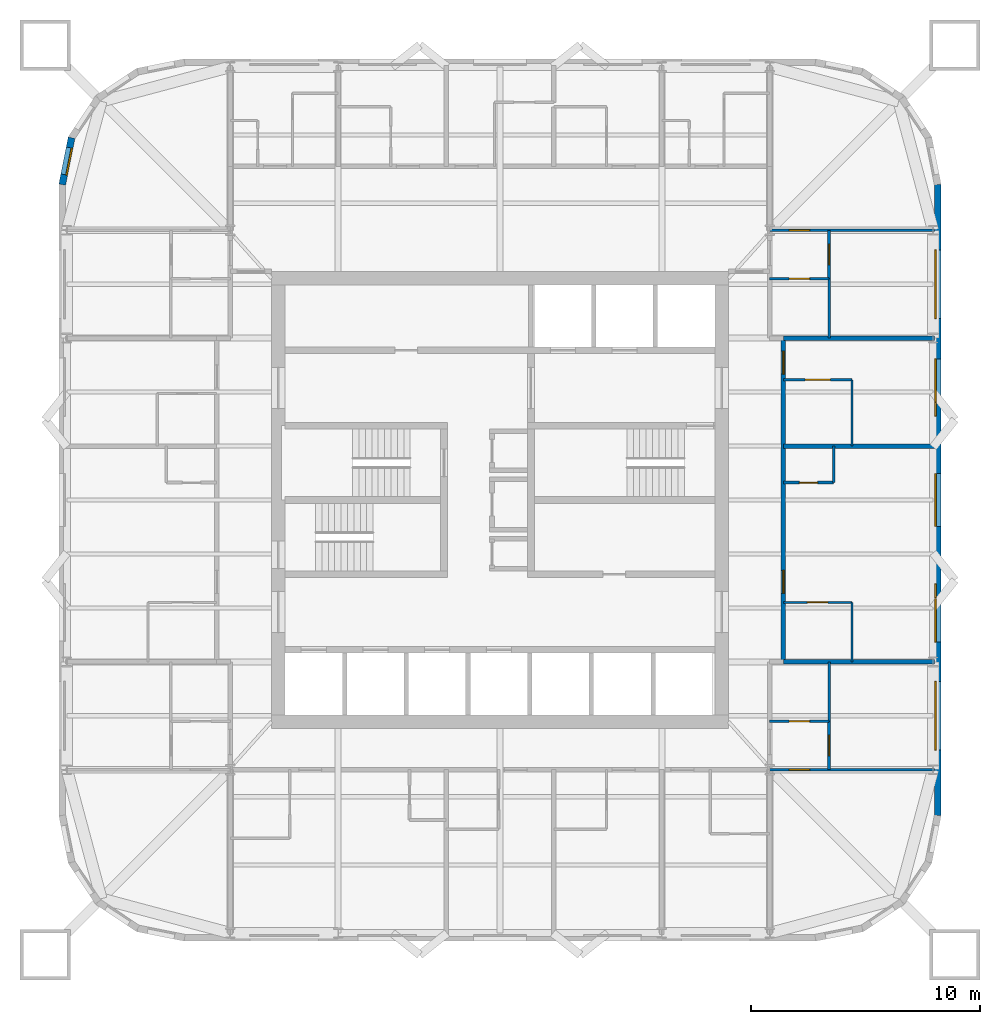
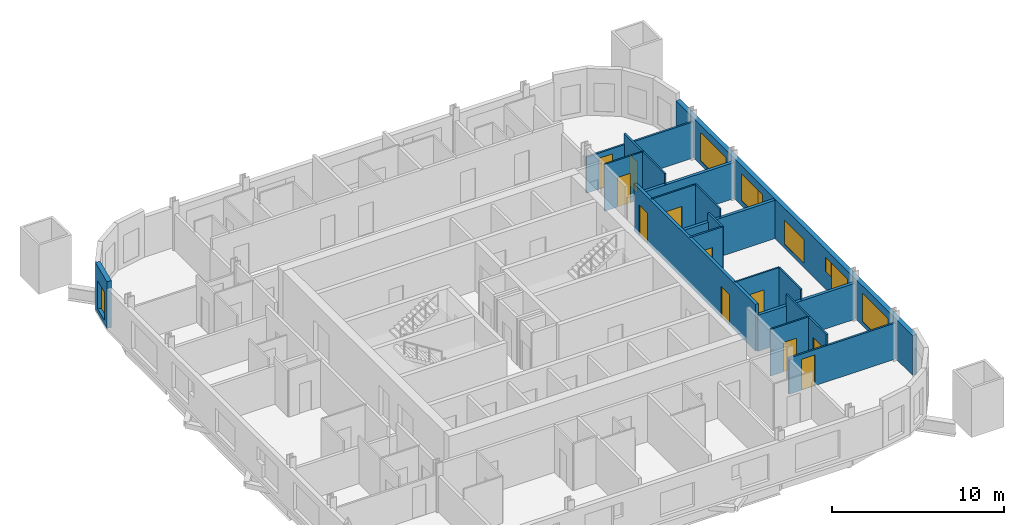
# One storey, part 6 of 9: 20 walls, 11 doors, 8 windows, 19 openings.
"""IFC4 building model written with IfcOpenShell, lengths in metres."""

from ifc_helpers import new_model, si_unit, direction, frame, frame_2d, origin, place, context, subcontext, project, spatial, rectangle, extrude, material, layer, layer_set, type_object, element, fill, save


model = new_model("IFC4")

# Units and contexts
model_context = context("Model", 3, precision=1e-05, world=origin(), true_north=direction((0.0, 1.0)))
body_context = subcontext(model_context, "Body", "Model", "MODEL_VIEW")
ifc_project = project(units=[si_unit("LENGTHUNIT", "METRE"), si_unit("AREAUNIT", "SQUARE_METRE"), si_unit("VOLUMEUNIT", "CUBIC_METRE"), si_unit("PLANEANGLEUNIT", "RADIAN"), si_unit("MASSUNIT", "GRAM", prefix="KILO")], contexts=[model_context])

# Site, building, storey
site_placement = place(None, origin())
site = spatial("IfcSite", under=ifc_project, at=site_placement, CompositionType="ELEMENT")
building_placement = place(site_placement, origin())
building = spatial("IfcBuilding", under=site, at=building_placement, Name="Turquesa Mirador Hotel Tower", CompositionType="ELEMENT")
storey_placement = place(building_placement, frame((0.0, 0.0, 186.300048828125)))
storey = spatial("IfcBuildingStorey", under=building, at=storey_placement, Name="L50", CompositionType="ELEMENT", Elevation=186.300048828125)

# Wall, opening, door
ifc_material_1 = material(Name="Gypsum board on steel studs", Category="steel")
ifc_layer_1 = layer(ifc_material_1, 0.10009765625)
ifc_layer_set_1 = layer_set([ifc_layer_1], Name="BATHROOM WALL 100")
wall_type_1 = type_object("IfcWallType", Name="BATHROOM WALL 100", PredefinedType="PARTITIONING", material=ifc_layer_set_1)
wall_1_placement = place(storey_placement, frame((67.39990234375, 40.52001953125, 0.0), z_axis=(0.0, 0.0, 1.0), x_axis=(1.0, 0.0, 0.0)))
wall_1 = element("IfcWall", 1, at=wall_1_placement, inside=storey, type_object=wall_type_1, Name="Partition L50 010", PredefinedType="PARTITIONING", context=body_context, shape_type="SweptSolid", body=[
    extrude(rectangle(XDim=3.0, YDim=0.10009765625, at=frame_2d((1.5, 0.0))), origin(), (0.0, 0.0, 1.0), 3.329833984375),
])
opening_1_placement = place(wall_1_placement, frame((1.050048828125, 0.0, 0.0)))
opening_1 = element("IfcOpeningElement", 2, at=opening_1_placement, cuts=wall_1, Name="Opening D02", PredefinedType="OPENING", context=body_context, shape_type="SweptSolid", body=[
    extrude(rectangle(XDim=0.89990234375, YDim=2.10009765625, at=frame_2d((0.449951171875, 1.050048828125))), frame((0.0, 0.06005859375, 0.0), z_axis=(0.0, -1.0, 0.0), x_axis=(1.0, 0.0, 0.0)), (0.0, 0.0, 1.0), 0.1201171875),
])
ifc_material_2 = material(Name="Timber veneered door", Category="wood")
door_type_1 = type_object("IfcDoorType", Name="DOOR 900X2100 EN-SUITE", OperationType="SINGLE_SWING_RIGHT", PredefinedType="DOOR", material=ifc_material_2)
door_1_placement = place(opening_1_placement, origin())
door_1 = element("IfcDoor", 3, at=door_1_placement, inside=storey, type_object=door_type_1, Name="Door 5010B", OperationType="SINGLE_SWING_RIGHT", OverallHeight=2.10009765625, OverallWidth=0.89990234375, PredefinedType="DOOR", context=body_context, shape_type="SweptSolid", body=[
    extrude(rectangle(XDim=0.89990234375, YDim=2.10009765625, at=frame_2d((0.449951171875, 1.050048828125))), frame((0.0, 0.02490234375, 0.0), z_axis=(0.0, -1.0, 0.0), x_axis=(1.0, 0.0, 0.0)), (0.0, 0.0, 1.0), 0.050048828125),
])
fill(opening_1, door_1)

wall_2_placement = place(storey_placement, frame((66.800048828125, 35.320068359375, 0.0), z_axis=(0.0, 0.0, 1.0), x_axis=(1.0, 0.0, 0.0)))
wall_2 = element("IfcWall", 4, at=wall_2_placement, inside=storey, type_object=wall_type_1, Name="Partition L50 016", PredefinedType="PARTITIONING", context=body_context, shape_type="SweptSolid", body=[
    extrude(rectangle(XDim=2.599853515625, YDim=0.10009765625, at=frame_2d((1.2998046875, 0.0))), origin(), (0.0, 0.0, 1.0), 3.329833984375),
])
opening_2_placement = place(wall_2_placement, frame((0.85009765625, 0.0, 0.0)))
opening_2 = element("IfcOpeningElement", 5, at=opening_2_placement, cuts=wall_2, Name="Opening D02", PredefinedType="OPENING", context=body_context, shape_type="SweptSolid", body=[
    extrude(rectangle(XDim=0.89990234375, YDim=2.10009765625, at=frame_2d((0.449951171875, 1.050048828125))), frame((0.0, 0.06005859375, 0.0), z_axis=(0.0, -1.0, 0.0), x_axis=(1.0, 0.0, 0.0)), (0.0, 0.0, 1.0), 0.1201171875),
])
door_2_placement = place(opening_2_placement, origin())
door_2 = element("IfcDoor", 6, at=door_2_placement, inside=storey, type_object=door_type_1, Name="Door 5017B", OperationType="SINGLE_SWING_RIGHT", OverallHeight=2.10009765625, OverallWidth=0.89990234375, PredefinedType="DOOR", context=body_context, shape_type="SweptSolid", body=[
    extrude(rectangle(XDim=0.89990234375, YDim=2.10009765625, at=frame_2d((0.449951171875, 1.050048828125))), frame((0.0, 0.02490234375, 0.0), z_axis=(0.0, -1.0, 0.0), x_axis=(1.0, 0.0, 0.0)), (0.0, 0.0, 1.0), 0.050048828125),
])
fill(opening_2, door_2)

wall_3_placement = place(storey_placement, frame((67.39990234375, 50.260009765625, 0.0), z_axis=(0.0, 0.0, 1.0), x_axis=(1.0, 0.0, 0.0)))
wall_3 = element("IfcWall", 7, at=wall_3_placement, inside=storey, type_object=wall_type_1, Name="Partition L50 034", PredefinedType="PARTITIONING", context=body_context, shape_type="SweptSolid", body=[
    extrude(rectangle(XDim=3.0, YDim=0.10009765625, at=frame_2d((1.5, 0.0))), origin(), (0.0, 0.0, 1.0), 3.329833984375),
])
opening_3_placement = place(wall_3_placement, frame((0.949951171875, 0.0, 0.0)))
opening_3 = element("IfcOpeningElement", 8, at=opening_3_placement, cuts=wall_3, Name="Opening D16", PredefinedType="OPENING", context=body_context, shape_type="SweptSolid", body=[
    extrude(rectangle(XDim=1.10009765625, YDim=2.10009765625, at=frame_2d((0.550048828125, 1.050048828125))), frame((0.0, 0.06005859375, 0.0), z_axis=(0.0, -1.0, 0.0), x_axis=(1.0, 0.0, 0.0)), (0.0, 0.0, 1.0), 0.1201171875),
])
ifc_material_3 = material(Name="Timber veneered sliding door", Category="wood")
door_type_2 = type_object("IfcDoorType", Name="DOOR 1100X2100 ACCESSIBLE EN-SUITE", OperationType="SLIDING_TO_LEFT", PredefinedType="DOOR", material=ifc_material_3)
door_3_placement = place(opening_3_placement, origin())
door_3 = element("IfcDoor", 9, at=door_3_placement, inside=storey, type_object=door_type_2, Name="Door 5011B", OperationType="SLIDING_TO_LEFT", OverallHeight=2.10009765625, OverallWidth=1.10009765625, PredefinedType="DOOR", context=body_context, shape_type="SweptSolid", body=[
    extrude(rectangle(XDim=1.10009765625, YDim=2.10009765625, at=frame_2d((0.550048828125, 1.050048828125))), frame((0.0, 0.02490234375, 0.0), z_axis=(0.0, -1.0, 0.0), x_axis=(1.0, 0.0, 0.0)), (0.0, 0.0, 1.0), 0.050048828125),
])
fill(opening_3, door_3)

wall_4_placement = place(storey_placement, frame((66.800048828125, 54.679931640625, 0.0), z_axis=(0.0, 0.0, 1.0), x_axis=(1.0, 0.0, 0.0)))
wall_4 = element("IfcWall", 10, at=wall_4_placement, inside=storey, type_object=wall_type_1, Name="Partition L50 040", PredefinedType="PARTITIONING", context=body_context, shape_type="SweptSolid", body=[
    extrude(rectangle(XDim=2.599853515625, YDim=0.10009765625, at=frame_2d((1.2998046875, 0.0))), origin(), (0.0, 0.0, 1.0), 3.329833984375),
])
opening_4_placement = place(wall_4_placement, frame((0.85009765625, 0.0, 0.0)))
opening_4 = element("IfcOpeningElement", 11, at=opening_4_placement, cuts=wall_4, Name="Opening D02", PredefinedType="OPENING", context=body_context, shape_type="SweptSolid", body=[
    extrude(rectangle(XDim=0.89990234375, YDim=2.10009765625, at=frame_2d((0.449951171875, 1.050048828125))), frame((0.0, 0.06005859375, 0.0), z_axis=(0.0, -1.0, 0.0), x_axis=(1.0, 0.0, 0.0)), (0.0, 0.0, 1.0), 0.1201171875),
])
door_4_placement = place(opening_4_placement, origin())
door_4 = element("IfcDoor", 12, at=door_4_placement, inside=storey, type_object=door_type_1, Name="Door 5014B", OperationType="SINGLE_SWING_RIGHT", OverallHeight=2.10009765625, OverallWidth=0.89990234375, PredefinedType="DOOR", context=body_context, shape_type="SweptSolid", body=[
    extrude(rectangle(XDim=0.89990234375, YDim=2.10009765625, at=frame_2d((0.449951171875, 1.050048828125))), frame((0.0, 0.02490234375, 0.0), z_axis=(0.0, -1.0, 0.0), x_axis=(1.0, 0.0, 0.0)), (0.0, 0.0, 1.0), 0.050048828125),
])
fill(opening_4, door_4)

# Walls
for number, where, z_axis, x_axis, name in (
    (13, (69.39990234375, 35.320068359375, 0.0), (0.0, 0.0, 1.0), (0.0, 1.0, 0.0), "Partition L50 068"),
    (14, (69.39990234375, 52.080078125, 0.0), (0.0, 0.0, 1.0), (0.0, 1.0, 0.0), "Partition L50 069"),
):
    element("IfcWall", number, at=place(storey_placement, frame(where, z_axis=z_axis, x_axis=x_axis)), inside=storey, type_object=wall_type_1, Name=name, PredefinedType="PARTITIONING", context=body_context, shape_type="SweptSolid", body=[
        extrude(rectangle(XDim=2.599853515625, YDim=0.10009765625, at=frame_2d((1.2998046875, 0.0))), origin(), (0.0, 0.0, 1.0), 3.329833984375),
    ])
wall_5_placement = place(storey_placement, frame((70.39990234375, 37.919921875, 0.0), z_axis=(0.0, 0.0, 1.0), x_axis=(0.0, 1.0, 0.0)))
element("IfcWall", 15, at=wall_5_placement, inside=storey, type_object=wall_type_1, Name="Partition L50 073", PredefinedType="PARTITIONING", context=body_context, shape_type="SweptSolid", body=[
    extrude(rectangle(XDim=2.60009765625, YDim=0.10009765625, at=frame_2d((1.300048828125, 0.0))), origin(), (0.0, 0.0, 1.0), 3.329833984375),
])
wall_6_placement = place(storey_placement, frame((70.39990234375, 47.360107421875, 0.0), z_axis=(0.0, 0.0, 1.0), x_axis=(0.0, 1.0, 0.0)))
element("IfcWall", 16, at=wall_6_placement, inside=storey, type_object=wall_type_1, Name="Partition L50 074", PredefinedType="PARTITIONING", context=body_context, shape_type="SweptSolid", body=[
    extrude(rectangle(XDim=2.89990234375, YDim=0.10009765625, at=frame_2d((1.449951171875, 0.0))), origin(), (0.0, 0.0, 1.0), 3.329833984375),
])

# Wall, openings, doors
ifc_material_4 = material(Name="Fire-rated gypsum board on steel studs", Category="steel")
ifc_layer_2 = layer(ifc_material_4, 0.199951171875)
ifc_layer_set_2 = layer_set([ifc_layer_2], Name="CORRIDOR WALL 200")
wall_type_2 = type_object("IfcWallType", Name="CORRIDOR WALL 200", PredefinedType="PARTITIONING", material=ifc_layer_set_2)
wall_7_placement = place(storey_placement, frame((67.39990234375, 37.919921875, 0.0), z_axis=(0.0, 0.0, 1.0), x_axis=(0.0, 1.0, 0.0)))
wall_7 = element("IfcWall", 17, at=wall_7_placement, inside=storey, type_object=wall_type_2, Name="Partition L50 067", PredefinedType="PARTITIONING", context=body_context, shape_type="SweptSolid", body=[
    extrude(rectangle(XDim=14.16015625, YDim=0.199951171875, at=frame_2d((7.080078125, 0.0))), origin(), (0.0, 0.0, 1.0), 3.329833984375),
])
opening_5_placement = place(wall_7_placement, frame((3.0, 0.0, 0.0)))
opening_5 = element("IfcOpeningElement", 18, at=opening_5_placement, cuts=wall_7, Name="Opening D01", PredefinedType="OPENING", context=body_context, shape_type="SweptSolid", body=[
    extrude(rectangle(XDim=1.0, YDim=2.199951171875, at=frame_2d((0.5, 1.10009765625))), frame((0.0, 0.10986328125, 0.0), z_axis=(0.0, -1.0, 0.0), x_axis=(1.0, 0.0, 0.0)), (0.0, 0.0, 1.0), 0.219970703125),
])
opening_6_placement = place(wall_7_placement, frame((12.590087890625, 0.0, 0.0)))
opening_6 = element("IfcOpeningElement", 19, at=opening_6_placement, cuts=wall_7, Name="Opening D01", PredefinedType="OPENING", context=body_context, shape_type="SweptSolid", body=[
    extrude(rectangle(XDim=1.0, YDim=2.199951171875, at=frame_2d((0.5, 1.10009765625))), frame((0.0, 0.10986328125, 0.0), z_axis=(0.0, -1.0, 0.0), x_axis=(1.0, 0.0, 0.0)), (0.0, 0.0, 1.0), 0.219970703125),
])
ifc_material_5 = material(Name="Timber veneered fire door", Category="wood")
door_type_3 = type_object("IfcDoorType", Name="DOOR 1000X2200 GUEST ENTRY", OperationType="SINGLE_SWING_LEFT", PredefinedType="DOOR", material=ifc_material_5)
door_5_placement = place(opening_5_placement, origin())
door_5 = element("IfcDoor", 20, at=door_5_placement, inside=storey, type_object=door_type_3, Name="Door 5010", OperationType="SINGLE_SWING_LEFT", OverallHeight=2.199951171875, OverallWidth=1.0, PredefinedType="DOOR", context=body_context, shape_type="SweptSolid", body=[
    extrude(rectangle(XDim=1.0, YDim=2.199951171875, at=frame_2d((0.5, 1.10009765625))), frame((0.0, 0.02490234375, 0.0), z_axis=(0.0, -1.0, 0.0), x_axis=(1.0, 0.0, 0.0)), (0.0, 0.0, 1.0), 0.050048828125),
])
fill(opening_5, door_5)
door_6_placement = place(opening_6_placement, origin())
door_6 = element("IfcDoor", 21, at=door_6_placement, inside=storey, type_object=door_type_3, Name="Door 5011", OperationType="SINGLE_SWING_LEFT", OverallHeight=2.199951171875, OverallWidth=1.0, PredefinedType="DOOR", context=body_context, shape_type="SweptSolid", body=[
    extrude(rectangle(XDim=1.0, YDim=2.199951171875, at=frame_2d((0.5, 1.10009765625))), frame((0.0, 0.02490234375, 0.0), z_axis=(0.0, -1.0, 0.0), x_axis=(1.0, 0.0, 0.0)), (0.0, 0.0, 1.0), 0.050048828125),
])
fill(opening_6, door_6)

# Wall, openings, windows
ifc_material_6 = material(Name="Limestone cladding on concrete block", Category="masonry")
ifc_layer_3 = layer(ifc_material_6, 0.300048828125)
ifc_layer_set_3 = layer_set([ifc_layer_3], Name="FACADE WALL 300 STONE SCREEN")
wall_type_3 = type_object("IfcWallType", Name="FACADE WALL 300 STONE SCREEN", PredefinedType="SOLIDWALL", material=ifc_layer_set_3)
wall_8_placement = place(storey_placement, frame((74.14990234375, 31.199951171875, 0.0), z_axis=(0.0, 0.0, 1.0), x_axis=(0.0, 1.0, 0.0)))
wall_8 = element("IfcWall", 22, at=wall_8_placement, inside=storey, type_object=wall_type_3, Name="Facade wall L50 04", PredefinedType="SOLIDWALL", context=body_context, shape_type="SweptSolid", body=[
    extrude(rectangle(XDim=27.60009765625, YDim=0.300048828125, at=frame_2d((13.800048828125, 0.0))), origin(), (0.0, 0.0, 1.0), 2.829833984375),
])
opening_7_placement = place(wall_8_placement, frame((2.860107421875, 0.0, 0.300048828125)))
opening_7 = element("IfcOpeningElement", 23, at=opening_7_placement, cuts=wall_8, Name="Opening WN1", PredefinedType="OPENING", context=body_context, shape_type="SweptSolid", body=[
    extrude(rectangle(XDim=3.0, YDim=2.0, at=frame_2d((1.5, 1.0))), frame((0.0, 0.159912109375, 0.0), z_axis=(0.0, -1.0, 0.0), x_axis=(1.0, 0.0, 0.0)), (0.0, 0.0, 1.0), 0.320068359375),
])
opening_8_placement = place(wall_8_placement, frame((7.580078125, 0.0, 0.35009765625)))
opening_8 = element("IfcOpeningElement", 24, at=opening_8_placement, cuts=wall_8, Name="Opening WN48", PredefinedType="OPENING", context=body_context, shape_type="SweptSolid", body=[
    extrude(rectangle(XDim=1.89990234375, YDim=1.89990234375, at=frame_2d((0.949951171875, 0.949951171875))), frame((0.0, 0.159912109375, 0.0), z_axis=(0.0, -1.0, 0.0), x_axis=(1.0, 0.0, 0.0)), (0.0, 0.0, 1.0), 0.320068359375),
])
opening_9_placement = place(wall_8_placement, frame((12.64990234375, 0.0, 0.300048828125)))
opening_9 = element("IfcOpeningElement", 25, at=opening_9_placement, cuts=wall_8, Name="Opening WN51", PredefinedType="OPENING", context=body_context, shape_type="SweptSolid", body=[
    extrude(rectangle(XDim=2.300048828125, YDim=1.699951171875, at=frame_2d((1.14990234375, 0.85009765625))), frame((0.0, 0.159912109375, 0.0), z_axis=(0.0, -1.0, 0.0), x_axis=(1.0, 0.0, 0.0)), (0.0, 0.0, 1.0), 0.320068359375),
])
opening_10_placement = place(wall_8_placement, frame((18.070068359375, 0.0, 0.35009765625)))
opening_10 = element("IfcOpeningElement", 26, at=opening_10_placement, cuts=wall_8, Name="Opening WN48", PredefinedType="OPENING", context=body_context, shape_type="SweptSolid", body=[
    extrude(rectangle(XDim=1.89990234375, YDim=1.89990234375, at=frame_2d((0.949951171875, 0.949951171875))), frame((0.0, 0.159912109375, 0.0), z_axis=(0.0, -1.0, 0.0), x_axis=(1.0, 0.0, 0.0)), (0.0, 0.0, 1.0), 0.320068359375),
])
opening_11_placement = place(wall_8_placement, frame((21.739990234375, 0.0, 0.300048828125)))
opening_11 = element("IfcOpeningElement", 27, at=opening_11_placement, cuts=wall_8, Name="Opening WN1", PredefinedType="OPENING", context=body_context, shape_type="SweptSolid", body=[
    extrude(rectangle(XDim=3.0, YDim=2.0, at=frame_2d((1.5, 1.0))), frame((0.0, 0.159912109375, 0.0), z_axis=(0.0, -1.0, 0.0), x_axis=(1.0, 0.0, 0.0)), (0.0, 0.0, 1.0), 0.320068359375),
])
opening_12_placement = place(wall_8_placement, frame((9.530029296875, 0.0, 1.25)))
opening_12 = element("IfcOpeningElement", 28, at=opening_12_placement, cuts=wall_8, Name="Opening WN29", PredefinedType="OPENING", context=body_context, shape_type="SweptSolid", body=[
    extrude(rectangle(XDim=0.60009765625, YDim=1.0, at=frame_2d((0.300048828125, 0.5))), frame((0.0, 0.159912109375, 0.0), z_axis=(0.0, -1.0, 0.0), x_axis=(1.0, 0.0, 0.0)), (0.0, 0.0, 1.0), 0.320068359375),
])
opening_13_placement = place(wall_8_placement, frame((17.469970703125, 0.0, 1.25)))
opening_13 = element("IfcOpeningElement", 29, at=opening_13_placement, cuts=wall_8, Name="Opening WN29", PredefinedType="OPENING", context=body_context, shape_type="SweptSolid", body=[
    extrude(rectangle(XDim=0.60009765625, YDim=1.0, at=frame_2d((0.300048828125, 0.5))), frame((0.0, 0.159912109375, 0.0), z_axis=(0.0, -1.0, 0.0), x_axis=(1.0, 0.0, 0.0)), (0.0, 0.0, 1.0), 0.320068359375),
])
ifc_material_7 = material(Name="Ceramic-fritted laminated glass", Category="glass")
window_type_1 = type_object("IfcWindowType", Name="FRITTED WINDOW 1900X1900", PartitioningType="DOUBLE_PANEL_HORIZONTAL", PredefinedType="WINDOW", material=ifc_material_7)
window_1_placement = place(opening_8_placement, origin())
window_1 = element("IfcWindow", 30, at=window_1_placement, inside=storey, type_object=window_type_1, Name="Window L50", OverallHeight=1.89990234375, OverallWidth=1.89990234375, PartitioningType="SINGLE_PANEL", PredefinedType="WINDOW", context=body_context, shape_type="SweptSolid", body=[
    extrude(rectangle(XDim=1.89990234375, YDim=1.89990234375, at=frame_2d((0.949951171875, 0.949951171875))), frame((0.0, 0.130126953125, 0.0), z_axis=(0.0, -1.0, 0.0), x_axis=(1.0, 0.0, 0.0)), (0.0, 0.0, 1.0), 0.06005859375),
])
fill(opening_8, window_1)
window_2_placement = place(opening_10_placement, origin())
window_2 = element("IfcWindow", 31, at=window_2_placement, inside=storey, type_object=window_type_1, Name="Window L50", OverallHeight=1.89990234375, OverallWidth=1.89990234375, PartitioningType="SINGLE_PANEL", PredefinedType="WINDOW", context=body_context, shape_type="SweptSolid", body=[
    extrude(rectangle(XDim=1.89990234375, YDim=1.89990234375, at=frame_2d((0.949951171875, 0.949951171875))), frame((0.0, 0.130126953125, 0.0), z_axis=(0.0, -1.0, 0.0), x_axis=(1.0, 0.0, 0.0)), (0.0, 0.0, 1.0), 0.06005859375),
])
fill(opening_10, window_2)
ifc_material_8 = material(Name="Ceramic-fritted laminated glass", Category="glass")
window_type_2 = type_object("IfcWindowType", Name="FRITTED WINDOW 2300X1700", PartitioningType="DOUBLE_PANEL_HORIZONTAL", PredefinedType="WINDOW", material=ifc_material_8)
window_3_placement = place(opening_9_placement, origin())
window_3 = element("IfcWindow", 32, at=window_3_placement, inside=storey, type_object=window_type_2, Name="Window L50", OverallHeight=1.699951171875, OverallWidth=2.300048828125, PartitioningType="SINGLE_PANEL", PredefinedType="WINDOW", context=body_context, shape_type="SweptSolid", body=[
    extrude(rectangle(XDim=2.300048828125, YDim=1.699951171875, at=frame_2d((1.14990234375, 0.85009765625))), frame((0.0, 0.130126953125, 0.0), z_axis=(0.0, -1.0, 0.0), x_axis=(1.0, 0.0, 0.0)), (0.0, 0.0, 1.0), 0.06005859375),
])
fill(opening_9, window_3)
ifc_material_9 = material(Name="Ceramic-fritted laminated glass", Category="glass")
window_type_3 = type_object("IfcWindowType", Name="FRITTED WINDOW 3000X2000", PartitioningType="DOUBLE_PANEL_HORIZONTAL", PredefinedType="WINDOW", material=ifc_material_9)
window_4_placement = place(opening_7_placement, origin())
window_4 = element("IfcWindow", 33, at=window_4_placement, inside=storey, type_object=window_type_3, Name="Window L50", OverallHeight=2.0, OverallWidth=3.0, PartitioningType="SINGLE_PANEL", PredefinedType="WINDOW", context=body_context, shape_type="SweptSolid", body=[
    extrude(rectangle(XDim=3.0, YDim=2.0, at=frame_2d((1.5, 1.0))), frame((0.0, 0.130126953125, 0.0), z_axis=(0.0, -1.0, 0.0), x_axis=(1.0, 0.0, 0.0)), (0.0, 0.0, 1.0), 0.06005859375),
])
fill(opening_7, window_4)
window_5_placement = place(opening_11_placement, origin())
window_5 = element("IfcWindow", 34, at=window_5_placement, inside=storey, type_object=window_type_3, Name="Window L50", OverallHeight=2.0, OverallWidth=3.0, PartitioningType="SINGLE_PANEL", PredefinedType="WINDOW", context=body_context, shape_type="SweptSolid", body=[
    extrude(rectangle(XDim=3.0, YDim=2.0, at=frame_2d((1.5, 1.0))), frame((0.0, 0.130126953125, 0.0), z_axis=(0.0, -1.0, 0.0), x_axis=(1.0, 0.0, 0.0)), (0.0, 0.0, 1.0), 0.06005859375),
])
fill(opening_11, window_5)
ifc_material_10 = material(Name="Ceramic-fritted laminated glass", Category="glass")
window_type_4 = type_object("IfcWindowType", Name="FRITTED WINDOW 600X1000", PartitioningType="DOUBLE_PANEL_HORIZONTAL", PredefinedType="WINDOW", material=ifc_material_10)
window_6_placement = place(opening_12_placement, origin())
window_6 = element("IfcWindow", 35, at=window_6_placement, inside=storey, type_object=window_type_4, Name="Window L50", OverallHeight=1.0, OverallWidth=0.60009765625, PartitioningType="SINGLE_PANEL", PredefinedType="WINDOW", context=body_context, shape_type="SweptSolid", body=[
    extrude(rectangle(XDim=0.60009765625, YDim=1.0, at=frame_2d((0.300048828125, 0.5))), frame((0.0, 0.130126953125, 0.0), z_axis=(0.0, -1.0, 0.0), x_axis=(1.0, 0.0, 0.0)), (0.0, 0.0, 1.0), 0.06005859375),
])
fill(opening_12, window_6)
window_7_placement = place(opening_13_placement, origin())
window_7 = element("IfcWindow", 36, at=window_7_placement, inside=storey, type_object=window_type_4, Name="Window L50", OverallHeight=1.0, OverallWidth=0.60009765625, PartitioningType="SINGLE_PANEL", PredefinedType="WINDOW", context=body_context, shape_type="SweptSolid", body=[
    extrude(rectangle(XDim=0.60009765625, YDim=1.0, at=frame_2d((0.300048828125, 0.5))), frame((0.0, 0.130126953125, 0.0), z_axis=(0.0, -1.0, 0.0), x_axis=(1.0, 0.0, 0.0)), (0.0, 0.0, 1.0), 0.06005859375),
])
fill(opening_13, window_7)

# Wall, opening, window
wall_9_placement = place(storey_placement, frame((36.25732421875, 60.847412109375, 0.0), z_axis=(0.0, 0.0, 1.0), x_axis=(-0.195081421501, -0.980787050784, 0.0)))
wall_9 = element("IfcWall", 37, at=wall_9_placement, inside=storey, type_object=wall_type_3, Name="Facade wall L50 13", PredefinedType="SOLIDWALL", context=body_context, shape_type="SweptSolid", body=[
    extrude(rectangle(XDim=2.08740234375, YDim=0.300048828125, at=frame_2d((1.043701171875, 0.0))), origin(), (0.0, 0.0, 1.0), 3.329833984375),
])
opening_14_placement = place(wall_9_placement, frame((0.443603515625, 0.0, 0.300048828125)))
opening_14 = element("IfcOpeningElement", 38, at=opening_14_placement, cuts=wall_9, Name="Opening WN4", PredefinedType="OPENING", context=body_context, shape_type="SweptSolid", body=[
    extrude(rectangle(XDim=1.199951171875, YDim=2.0, at=frame_2d((0.60009765625, 1.0))), frame((0.0, 0.159912109375, 0.0), z_axis=(0.0, -1.0, 0.0), x_axis=(1.0, 0.0, 0.0)), (0.0, 0.0, 1.0), 0.320068359375),
])
ifc_material_11 = material(Name="Ceramic-fritted laminated glass", Category="glass")
window_type_5 = type_object("IfcWindowType", Name="FRITTED CORNER WINDOW 1200X2000", PartitioningType="DOUBLE_PANEL_HORIZONTAL", PredefinedType="WINDOW", material=ifc_material_11)
window_8_placement = place(opening_14_placement, origin())
window_8 = element("IfcWindow", 39, at=window_8_placement, inside=storey, type_object=window_type_5, Name="Window L50", OverallHeight=2.0, OverallWidth=1.199951171875, PartitioningType="SINGLE_PANEL", PredefinedType="WINDOW", context=body_context, shape_type="SweptSolid", body=[
    extrude(rectangle(XDim=1.199951171875, YDim=2.0, at=frame_2d((0.60009765625, 1.0))), frame((0.0, 0.130126953125, 0.0), z_axis=(0.0, -1.0, 0.0), x_axis=(1.0, 0.0, 0.0)), (0.0, 0.0, 1.0), 0.06005859375),
])
fill(opening_14, window_8)

# Walls
ifc_material_12 = material(Name="Fire-rated gypsum board on steel studs", Category="steel")
ifc_layer_4 = layer(ifc_material_12, 0.199951171875)
ifc_layer_set_4 = layer_set([ifc_layer_4], Name="PARTY WALL 200")
wall_type_4 = type_object("IfcWallType", Name="PARTY WALL 200", PredefinedType="PARTITIONING", material=ifc_layer_set_4)
wall_10_placement = place(storey_placement, frame((67.39990234375, 37.919921875, 0.0), z_axis=(0.0, 0.0, 1.0), x_axis=(1.0, 0.0, 0.0)))
element("IfcWall", 40, at=wall_10_placement, inside=storey, type_object=wall_type_4, Name="Partition L50 014", PredefinedType="PARTITIONING", context=body_context, shape_type="SweptSolid", body=[
    extrude(rectangle(XDim=6.60009765625, YDim=0.199951171875, at=frame_2d((3.300048828125, 0.0))), origin(), (0.0, 0.0, 1.0), 2.572998046875),
])
wall_11_placement = place(storey_placement, frame((67.39990234375, 47.360107421875, 0.0), z_axis=(0.0, 0.0, 1.0), x_axis=(1.0, 0.0, 0.0)))
element("IfcWall", 41, at=wall_11_placement, inside=storey, type_object=wall_type_4, Name="Partition L50 032", PredefinedType="PARTITIONING", context=body_context, shape_type="SweptSolid", body=[
    extrude(rectangle(XDim=6.60009765625, YDim=0.199951171875, at=frame_2d((3.300048828125, 0.0))), origin(), (0.0, 0.0, 1.0), 2.73046875),
])
wall_12_placement = place(storey_placement, frame((67.39990234375, 52.080078125, 0.0), z_axis=(0.0, 0.0, 1.0), x_axis=(1.0, 0.0, 0.0)))
element("IfcWall", 42, at=wall_12_placement, inside=storey, type_object=wall_type_4, Name="Partition L50 038", PredefinedType="PARTITIONING", context=body_context, shape_type="SweptSolid", body=[
    extrude(rectangle(XDim=6.60009765625, YDim=0.199951171875, at=frame_2d((3.300048828125, 0.0))), origin(), (0.0, 0.0, 1.0), 2.572998046875),
])

# Wall, opening, door
ifc_material_13 = material(Name="Acoustic gypsum board on steel studs", Category="steel")
ifc_layer_5 = layer(ifc_material_13, 0.125)
ifc_layer_set_5 = layer_set([ifc_layer_5], Name="SUITE PARTITION 125")
wall_type_5 = type_object("IfcWallType", Name="SUITE PARTITION 125", PredefinedType="PARTITIONING", material=ifc_layer_set_5)
wall_13_placement = place(storey_placement, frame((66.800048828125, 33.199951171875, 0.0), z_axis=(0.0, 0.0, 1.0), x_axis=(1.0, 0.0, 0.0)))
wall_13 = element("IfcWall", 43, at=wall_13_placement, inside=storey, type_object=wall_type_5, Name="Partition L50 003", PredefinedType="PARTITIONING", context=body_context, shape_type="SweptSolid", body=[
    extrude(rectangle(XDim=7.199951171875, YDim=0.125, at=frame_2d((3.60009765625, 0.0))), origin(), (0.0, 0.0, 1.0), 2.572998046875),
])
opening_15_placement = place(wall_13_placement, frame((0.85009765625, 0.0, 0.0)))
opening_15 = element("IfcOpeningElement", 44, at=opening_15_placement, cuts=wall_13, Name="Opening D17", PredefinedType="OPENING", context=body_context, shape_type="SweptSolid", body=[
    extrude(rectangle(XDim=0.89990234375, YDim=2.199951171875, at=frame_2d((0.449951171875, 1.10009765625))), frame((0.0, 0.072509765625, 0.0), z_axis=(0.0, -1.0, 0.0), x_axis=(1.0, 0.0, 0.0)), (0.0, 0.0, 1.0), 0.14501953125),
])
ifc_material_14 = material(Name="Timber veneered door", Category="wood")
door_type_4 = type_object("IfcDoorType", Name="DOOR 900X2200 SUITE INTERNAL", OperationType="SINGLE_SWING_LEFT", PredefinedType="DOOR", material=ifc_material_14)
door_7_placement = place(opening_15_placement, origin())
door_7 = element("IfcDoor", 45, at=door_7_placement, inside=storey, type_object=door_type_4, Name="Door 5017", OperationType="SINGLE_SWING_LEFT", OverallHeight=2.199951171875, OverallWidth=0.89990234375, PredefinedType="DOOR", context=body_context, shape_type="SweptSolid", body=[
    extrude(rectangle(XDim=0.89990234375, YDim=2.199951171875, at=frame_2d((0.449951171875, 1.10009765625))), frame((0.0, 0.02490234375, 0.0), z_axis=(0.0, -1.0, 0.0), x_axis=(1.0, 0.0, 0.0)), (0.0, 0.0, 1.0), 0.050048828125),
])
fill(opening_15, door_7)

wall_14_placement = place(storey_placement, frame((67.39990234375, 45.760009765625, 0.0), z_axis=(0.0, 0.0, 1.0), x_axis=(1.0, 0.0, 0.0)))
wall_14 = element("IfcWall", 46, at=wall_14_placement, inside=storey, type_object=wall_type_5, Name="Partition L50 018", PredefinedType="PARTITIONING", context=body_context, shape_type="SweptSolid", body=[
    extrude(rectangle(XDim=2.2001953125, YDim=0.125, at=frame_2d((1.10009765625, 0.0))), origin(), (0.0, 0.0, 1.0), 3.329833984375),
])
opening_16_placement = place(wall_14_placement, frame((0.699951171875, 0.0, 0.0)))
opening_16 = element("IfcOpeningElement", 47, at=opening_16_placement, cuts=wall_14, Name="Opening D20", PredefinedType="OPENING", context=body_context, shape_type="SweptSolid", body=[
    extrude(rectangle(XDim=0.800048828125, YDim=2.10009765625, at=frame_2d((0.39990234375, 1.050048828125))), frame((0.0, 0.072509765625, 0.0), z_axis=(0.0, -1.0, 0.0), x_axis=(1.0, 0.0, 0.0)), (0.0, 0.0, 1.0), 0.14501953125),
])
ifc_material_15 = material(Name="Timber veneered sliding door", Category="wood")
door_type_5 = type_object("IfcDoorType", Name="DOOR 800X2100 WARDROBE", OperationType="SLIDING_TO_LEFT", PredefinedType="DOOR", material=ifc_material_15)
door_8_placement = place(opening_16_placement, origin())
door_8 = element("IfcDoor", 48, at=door_8_placement, inside=storey, type_object=door_type_5, Name="Door 5010W", OperationType="SLIDING_TO_LEFT", OverallHeight=2.10009765625, OverallWidth=0.800048828125, PredefinedType="DOOR", context=body_context, shape_type="SweptSolid", body=[
    extrude(rectangle(XDim=0.800048828125, YDim=2.10009765625, at=frame_2d((0.39990234375, 1.050048828125))), frame((0.0, 0.02490234375, 0.0), z_axis=(0.0, -1.0, 0.0), x_axis=(1.0, 0.0, 0.0)), (0.0, 0.0, 1.0), 0.050048828125),
])
fill(opening_16, door_8)

wall_15_placement = place(storey_placement, frame((66.800048828125, 56.800048828125, 0.0), z_axis=(0.0, 0.0, 1.0), x_axis=(1.0, 0.0, 0.0)))
wall_15 = element("IfcWall", 49, at=wall_15_placement, inside=storey, type_object=wall_type_5, Name="Partition L50 022", PredefinedType="PARTITIONING", context=body_context, shape_type="SweptSolid", body=[
    extrude(rectangle(XDim=7.199951171875, YDim=0.125, at=frame_2d((3.60009765625, 0.0))), origin(), (0.0, 0.0, 1.0), 2.572998046875),
])
opening_17_placement = place(wall_15_placement, frame((0.85009765625, 0.0, 0.0)))
opening_17 = element("IfcOpeningElement", 50, at=opening_17_placement, cuts=wall_15, Name="Opening D17", PredefinedType="OPENING", context=body_context, shape_type="SweptSolid", body=[
    extrude(rectangle(XDim=0.89990234375, YDim=2.199951171875, at=frame_2d((0.449951171875, 1.10009765625))), frame((0.0, 0.072509765625, 0.0), z_axis=(0.0, -1.0, 0.0), x_axis=(1.0, 0.0, 0.0)), (0.0, 0.0, 1.0), 0.14501953125),
])
door_9_placement = place(opening_17_placement, origin())
door_9 = element("IfcDoor", 51, at=door_9_placement, inside=storey, type_object=door_type_4, Name="Door 5014", OperationType="SINGLE_SWING_LEFT", OverallHeight=2.199951171875, OverallWidth=0.89990234375, PredefinedType="DOOR", context=body_context, shape_type="SweptSolid", body=[
    extrude(rectangle(XDim=0.89990234375, YDim=2.199951171875, at=frame_2d((0.449951171875, 1.10009765625))), frame((0.0, 0.02490234375, 0.0), z_axis=(0.0, -1.0, 0.0), x_axis=(1.0, 0.0, 0.0)), (0.0, 0.0, 1.0), 0.050048828125),
])
fill(opening_17, door_9)

wall_16_placement = place(storey_placement, frame((69.39990234375, 33.199951171875, 0.0), z_axis=(0.0, 0.0, 1.0), x_axis=(0.0, 1.0, 0.0)))
wall_16 = element("IfcWall", 52, at=wall_16_placement, inside=storey, type_object=wall_type_5, Name="Partition L50 070", PredefinedType="PARTITIONING", context=body_context, shape_type="SweptSolid", body=[
    extrude(rectangle(XDim=2.1201171875, YDim=0.125, at=frame_2d((1.06005859375, 0.0))), origin(), (0.0, 0.0, 1.0), 3.329833984375),
])
opening_18_placement = place(wall_16_placement, frame((0.610107421875, 0.0, 0.0)))
opening_18 = element("IfcOpeningElement", 53, at=opening_18_placement, cuts=wall_16, Name="Opening D17", PredefinedType="OPENING", context=body_context, shape_type="SweptSolid", body=[
    extrude(rectangle(XDim=0.89990234375, YDim=2.199951171875, at=frame_2d((0.449951171875, 1.10009765625))), frame((0.0, 0.072509765625, 0.0), z_axis=(0.0, -1.0, 0.0), x_axis=(1.0, 0.0, 0.0)), (0.0, 0.0, 1.0), 0.14501953125),
])
door_10_placement = place(opening_18_placement, origin())
door_10 = element("IfcDoor", 54, at=door_10_placement, inside=storey, type_object=door_type_4, Name="Door 5017R", OperationType="SINGLE_SWING_LEFT", OverallHeight=2.199951171875, OverallWidth=0.89990234375, PredefinedType="DOOR", context=body_context, shape_type="SweptSolid", body=[
    extrude(rectangle(XDim=0.89990234375, YDim=2.199951171875, at=frame_2d((0.449951171875, 1.10009765625))), frame((0.0, 0.02490234375, 0.0), z_axis=(0.0, -1.0, 0.0), x_axis=(1.0, 0.0, 0.0)), (0.0, 0.0, 1.0), 0.050048828125),
])
fill(opening_18, door_10)

wall_17_placement = place(storey_placement, frame((69.39990234375, 54.679931640625, 0.0), z_axis=(0.0, 0.0, 1.0), x_axis=(0.0, 1.0, 0.0)))
wall_17 = element("IfcWall", 55, at=wall_17_placement, inside=storey, type_object=wall_type_5, Name="Partition L50 071", PredefinedType="PARTITIONING", context=body_context, shape_type="SweptSolid", body=[
    extrude(rectangle(XDim=2.1201171875, YDim=0.125, at=frame_2d((1.06005859375, 0.0))), origin(), (0.0, 0.0, 1.0), 3.329833984375),
])
opening_19_placement = place(wall_17_placement, frame((0.610107421875, 0.0, 0.0)))
opening_19 = element("IfcOpeningElement", 56, at=opening_19_placement, cuts=wall_17, Name="Opening D17", PredefinedType="OPENING", context=body_context, shape_type="SweptSolid", body=[
    extrude(rectangle(XDim=0.89990234375, YDim=2.199951171875, at=frame_2d((0.449951171875, 1.10009765625))), frame((0.0, 0.072509765625, 0.0), z_axis=(0.0, -1.0, 0.0), x_axis=(1.0, 0.0, 0.0)), (0.0, 0.0, 1.0), 0.14501953125),
])
door_11_placement = place(opening_19_placement, origin())
door_11 = element("IfcDoor", 57, at=door_11_placement, inside=storey, type_object=door_type_4, Name="Door 5014R", OperationType="SINGLE_SWING_LEFT", OverallHeight=2.199951171875, OverallWidth=0.89990234375, PredefinedType="DOOR", context=body_context, shape_type="SweptSolid", body=[
    extrude(rectangle(XDim=0.89990234375, YDim=2.199951171875, at=frame_2d((0.449951171875, 1.10009765625))), frame((0.0, 0.02490234375, 0.0), z_axis=(0.0, -1.0, 0.0), x_axis=(1.0, 0.0, 0.0)), (0.0, 0.0, 1.0), 0.050048828125),
])
fill(opening_19, door_11)

# Wall
wall_18_placement = place(storey_placement, frame((69.60009765625, 45.760009765625, 0.0), z_axis=(0.0, 0.0, 1.0), x_axis=(0.0, 1.0, 0.0)))
element("IfcWall", 58, at=wall_18_placement, inside=storey, type_object=wall_type_5, Name="Partition L50 072", PredefinedType="PARTITIONING", context=body_context, shape_type="SweptSolid", body=[
    extrude(rectangle(XDim=1.60009765625, YDim=0.125, at=frame_2d((0.800048828125, 0.0))), origin(), (0.0, 0.0, 1.0), 3.329833984375),
])

save(model, "model.ifc")
